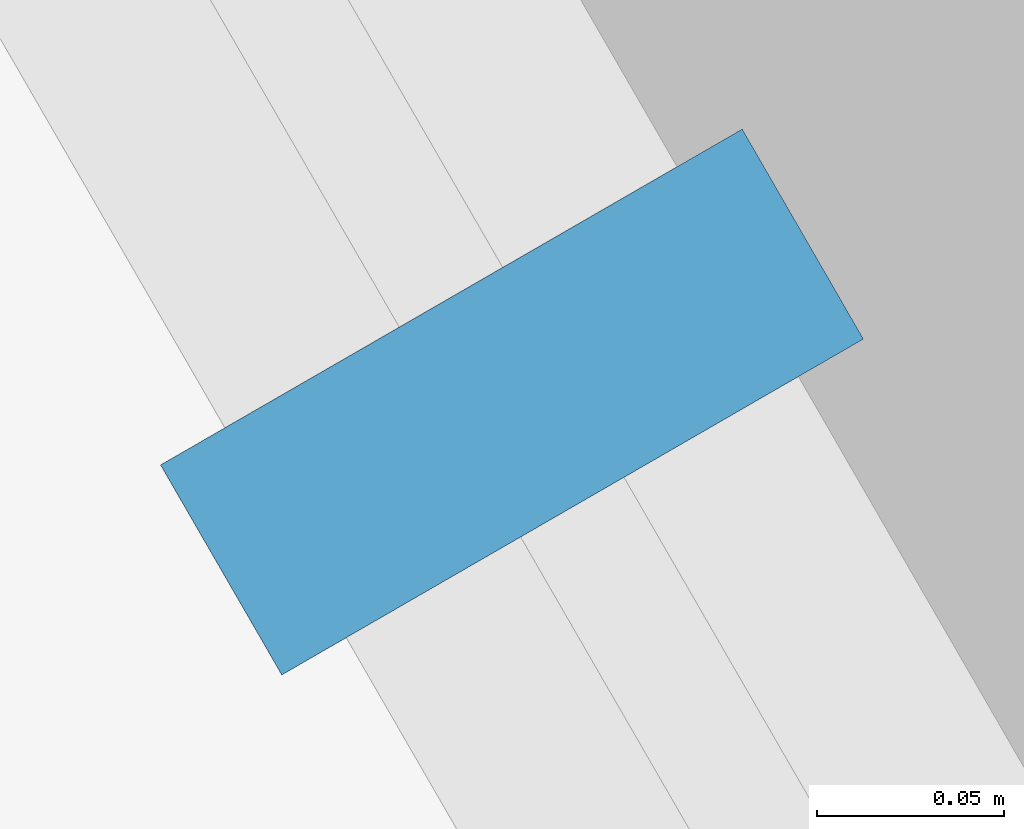
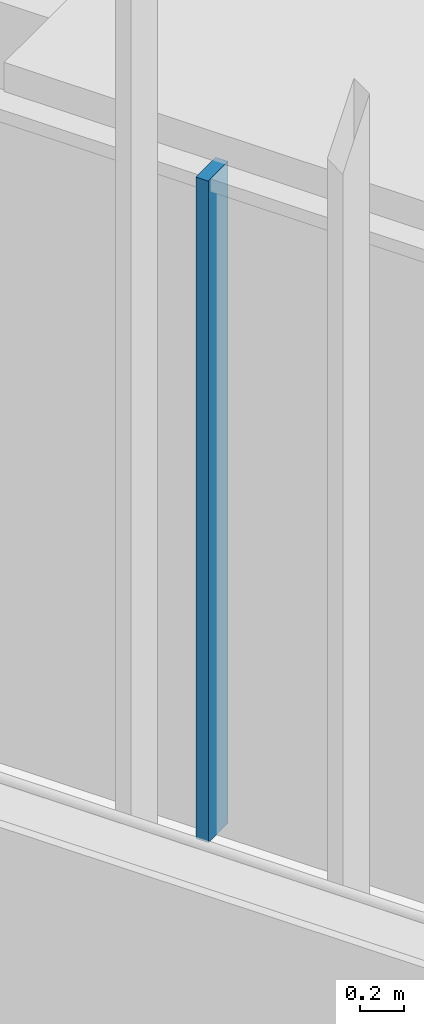
# One storey, part 41 of 238: 1 member, 1 element without a shape of its own.
"""IFC4 building model written with IfcOpenShell, lengths in metres."""

from ifc_helpers import new_model, si_unit, direction, frame, origin, origin_2d, place, context, subcontext, project, spatial, rectangle, extrude, material, material_profile, profile_set, type_object, element, aggregate, save


model = new_model("IFC4")

# Units and contexts
model_context = context("Model", 3, precision=1e-05, world=origin(), true_north=direction((0.0, 1.0)))
body_context = subcontext(model_context, "Body", "Model", "MODEL_VIEW")
ifc_project = project(units=[si_unit("LENGTHUNIT", "METRE"), si_unit("AREAUNIT", "SQUARE_METRE"), si_unit("VOLUMEUNIT", "CUBIC_METRE"), si_unit("PLANEANGLEUNIT", "RADIAN"), si_unit("MASSUNIT", "GRAM", prefix="KILO")], contexts=[model_context])

# Site, building, storey
site_placement = place(None, origin())
site = spatial("IfcSite", under=ifc_project, at=site_placement, CompositionType="ELEMENT")
building_placement = place(site_placement, origin())
building = spatial("IfcBuilding", under=site, at=building_placement, Name="Sandreach Pilgrim Tower", CompositionType="ELEMENT")
storey_placement = place(building_placement, frame((0.0, 0.0, 96.800048828125)))
storey = spatial("IfcBuildingStorey", under=building, at=storey_placement, Name="L23", CompositionType="ELEMENT", Elevation=96.800048828125)

# Curtain wall, member
ifc_material_1 = material(Name="Aluminium framed curtain wall", Category="aluminium")
curtain_wall_type = type_object("IfcCurtainWallType", Name="Hotel tower curtain wall", PredefinedType="NOTDEFINED", material=ifc_material_1)
curtain_wall_placement = place(storey_placement, origin())
curtain_wall = element("IfcCurtainWall", 1, at=curtain_wall_placement, inside=storey, type_object=curtain_wall_type, Name="CW-2 L23 SW", PredefinedType="NOTDEFINED")
ifc_material_2 = material(Name="Aluminium extrusion", Category="aluminium")
ifc_material_profile = material_profile(ifc_material_2, rectangle(XDim=0.06494140625, YDim=0.179931640625, at=origin_2d()), Name="CW-2M 65X180")
ifc_profile_set = profile_set([ifc_material_profile], Name="Aluminium extrusion")
member_type = type_object("IfcMemberType", Name="CW-2 mullion", PredefinedType="MULLION", material=ifc_profile_set)
member_placement = place(storey_placement, frame((-20.5068359375, -9.468505859375, 0.0), z_axis=(0.0, 0.0, 1.0), x_axis=(-0.5, 0.866025403784, 0.0)))
member = element("IfcMember", 2, at=member_placement, type_object=member_type, Name="CW-2 mullion 6", PredefinedType="MULLION", context=body_context, shape_type="SweptSolid", body=[
    extrude(rectangle(XDim=0.06494140625, YDim=0.179931640625, at=origin_2d()), origin(), (0.0, 0.0, 1.0), 3.639892578125),
])
aggregate(curtain_wall, [member])

save(model, "model.ifc")
